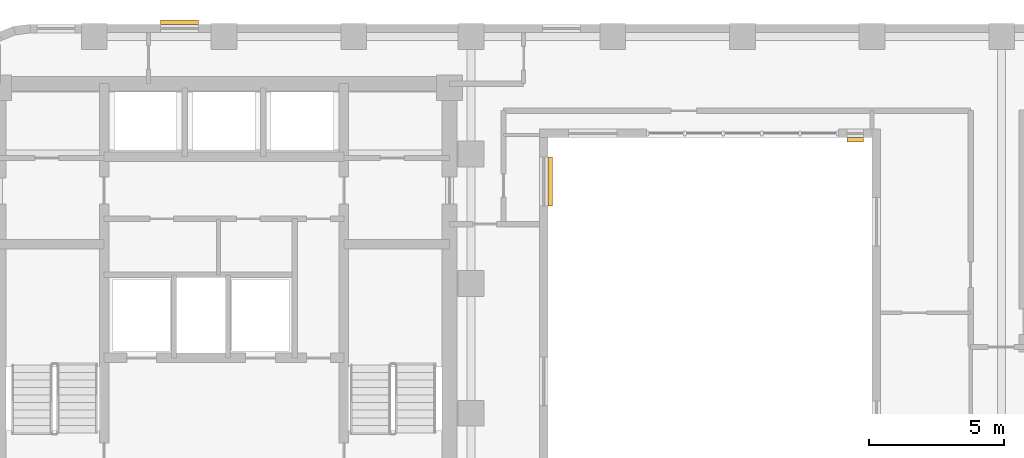
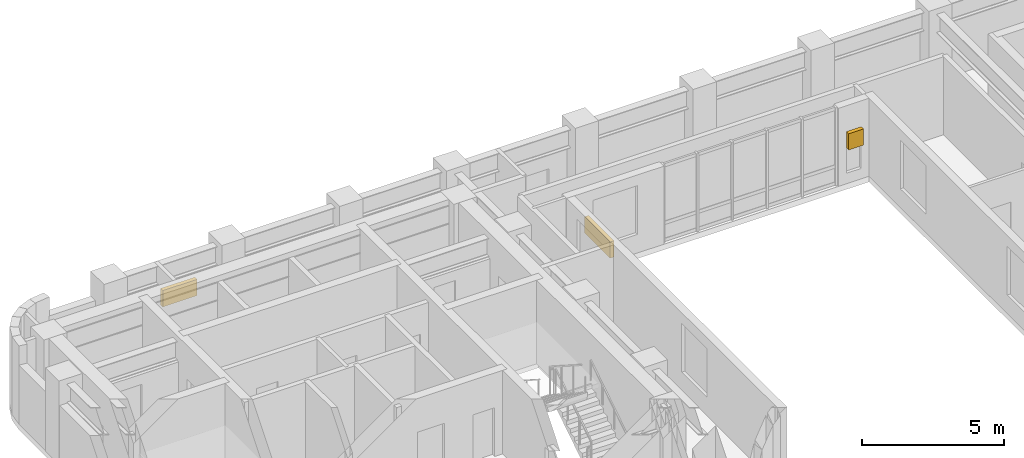
# One storey, part 11 of 11: 3 shading devices.
"""IFC4 building model written with IfcOpenShell, lengths in metres."""

from ifc_helpers import new_model, si_unit, direction, frame, origin, origin_2d, place, context, subcontext, project, spatial, rectangle, extrude, material, type_object, element, save


model = new_model("IFC4")

# Units and contexts
model_context = context("Model", 3, precision=1e-05, world=origin(), true_north=direction((0.0, 1.0)))
body_context = subcontext(model_context, "Body", "Model", "MODEL_VIEW")
ifc_project = project(units=[si_unit("LENGTHUNIT", "METRE"), si_unit("AREAUNIT", "SQUARE_METRE"), si_unit("VOLUMEUNIT", "CUBIC_METRE"), si_unit("PLANEANGLEUNIT", "RADIAN"), si_unit("MASSUNIT", "GRAM", prefix="KILO")], contexts=[model_context])

# Site, building, storey
site_placement = place(None, origin())
site = spatial("IfcSite", under=ifc_project, at=site_placement, CompositionType="ELEMENT")
building_placement = place(site_placement, origin())
building = spatial("IfcBuilding", under=site, at=building_placement, Name="Orvandelia Arch Residences", CompositionType="ELEMENT")
storey_placement = place(building_placement, frame((0.0, 0.0, 161.199951171875)))
storey = spatial("IfcBuildingStorey", under=building, at=storey_placement, Name="L42", CompositionType="ELEMENT", Elevation=161.199951171875)

# Shading devices
ifc_material = material(Name="Anodised Champagne-Bronze Extruded Aluminium", Category="aluminium")
shading_device_type = type_object("IfcShadingDeviceType", Name="SHD-JALOUSIE-SCREEN", PredefinedType="JALOUSIE", material=ifc_material)
shading_device_1_placement = place(storey_placement, frame((12.75244140625, 48.080078125, 1.05029296875), z_axis=(0.0, 0.0, 1.0), x_axis=(1.0, 0.0, 0.0)))
element("IfcShadingDevice", 1, at=shading_device_1_placement, inside=storey, type_object=shading_device_type, Name="Bronze Jalousie Sun-Shade L42-001", PredefinedType="JALOUSIE", context=body_context, shape_type="SweptSolid", body=[
    extrude(rectangle(XDim=1.39990234375, YDim=0.159912109375, at=origin_2d()), origin(), (0.0, 0.0, 1.0), 0.699951171875),
])
shading_device_2_placement = place(storey_placement, frame((37.780029296875, 43.719970703125, 1.55029296875), z_axis=(0.0, 0.0, 1.0), x_axis=(-1.0, 0.0, 0.0)))
element("IfcShadingDevice", 2, at=shading_device_2_placement, inside=storey, type_object=shading_device_type, Name="Bronze Jalousie Sun-Shade L42-004", PredefinedType="JALOUSIE", context=body_context, shape_type="SweptSolid", body=[
    extrude(rectangle(XDim=0.60009765625, YDim=0.159912109375, at=origin_2d()), origin(), (0.0, 0.0, 1.0), 0.699951171875),
])
shading_device_3_placement = place(storey_placement, frame((26.47998046875, 42.179931640625, 2.2001953125), z_axis=(0.0, 0.0, 1.0), x_axis=(0.0, -1.0, 0.0)))
element("IfcShadingDevice", 3, at=shading_device_3_placement, inside=storey, type_object=shading_device_type, Name="Bronze Jalousie Sun-Shade L42-005", PredefinedType="JALOUSIE", context=body_context, shape_type="SweptSolid", body=[
    extrude(rectangle(XDim=1.800048828125, YDim=0.159912109375, at=origin_2d()), origin(), (0.0, 0.0, 1.0), 0.699951171875),
])

save(model, "model.ifc")
